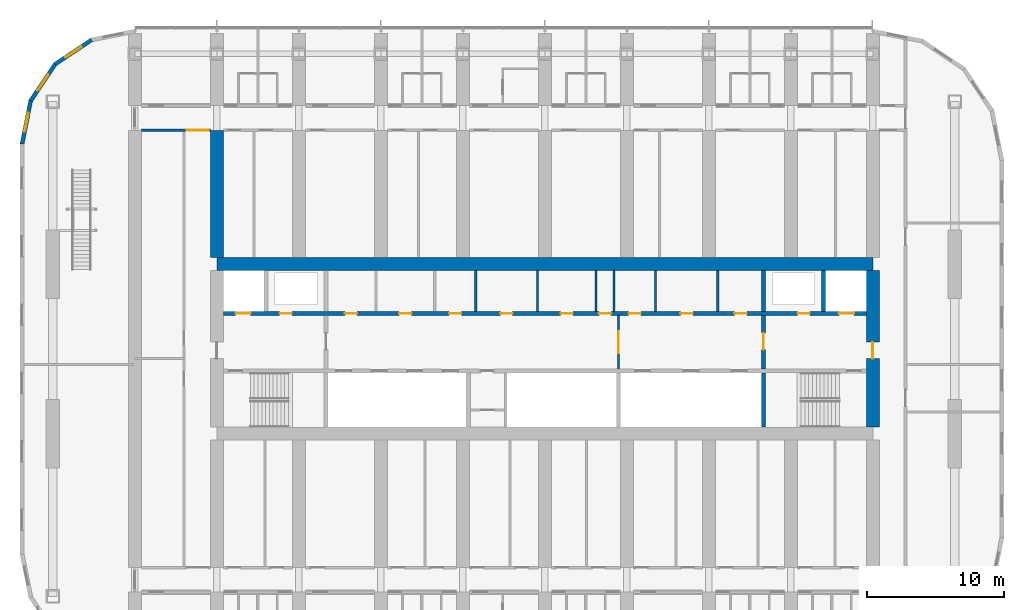
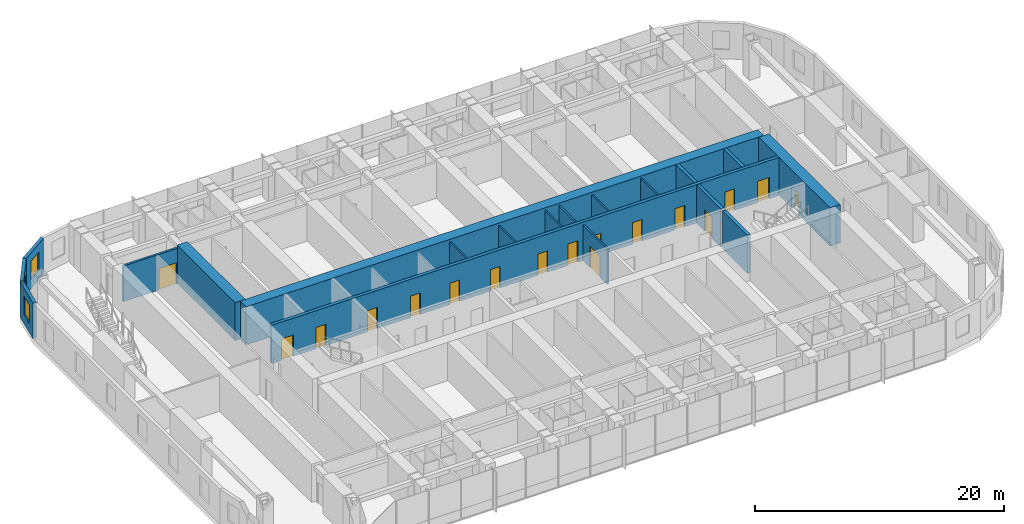
# One storey, part 14 of 25: 19 walls, 17 doors, 3 windows, 20 openings.
"""IFC4 building model written with IfcOpenShell, lengths in metres."""

from ifc_helpers import new_model, si_unit, direction, frame, frame_2d, origin, place, context, subcontext, project, spatial, polyline, rectangle, outline, extrude, material, layer, layer_set, type_object, element, fill, save


model = new_model("IFC4")

# Units and contexts
model_context = context("Model", 3, precision=1e-05, world=origin(), true_north=direction((0.0, 1.0)))
body_context = subcontext(model_context, "Body", "Model", "MODEL_VIEW")
ifc_project = project(units=[si_unit("LENGTHUNIT", "METRE"), si_unit("AREAUNIT", "SQUARE_METRE"), si_unit("VOLUMEUNIT", "CUBIC_METRE"), si_unit("PLANEANGLEUNIT", "RADIAN"), si_unit("MASSUNIT", "GRAM", prefix="KILO")], contexts=[model_context])

# Site, building, storey
site_placement = place(None, origin())
site = spatial("IfcSite", under=ifc_project, at=site_placement, CompositionType="ELEMENT")
building_placement = place(site_placement, origin())
building = spatial("IfcBuilding", under=site, at=building_placement, Name="Orbita Commons", CompositionType="ELEMENT")
storey_placement = place(building_placement, frame((0.0, 0.0, 99.39990234375)))
storey = spatial("IfcBuildingStorey", under=building, at=storey_placement, Name="L24", CompositionType="ELEMENT", Elevation=99.39990234375)

# Wall, openings, doors
ifc_material_1 = material(Name="Concrete C50/60", Category="concrete")
ifc_layer_1 = layer(ifc_material_1, 0.300048828125)
ifc_layer_set_1 = layer_set([ifc_layer_1], Name="Concrete C50/60")
wall_type_1 = type_object("IfcWallType", Name="Core inner wall 300 C50/60", PredefinedType="SHEAR", material=ifc_layer_set_1)
wall_1_placement = place(storey_placement, frame((18.47509765625, 34.60009765625, 0.0), z_axis=(0.0, 0.0, 1.0), x_axis=(1.0, 0.0, 0.0)))
wall_1 = element("IfcWall", 1, at=wall_1_placement, inside=storey, type_object=wall_type_1, Name="Lobby wall north L24", PredefinedType="SHEAR", context=body_context, shape_type="SweptSolid", body=[
    extrude(rectangle(XDim=47.0498046875, YDim=0.300048828125, at=frame_2d((23.52490234375, 0.0))), origin(), (0.0, 0.0, 1.0), 3.75),
])
opening_1_placement = place(wall_1_placement, frame((0.89990234375, 0.0, 0.0)))
opening_1 = element("IfcOpeningElement", 2, at=opening_1_placement, cuts=wall_1, Name="Opening LD01", PredefinedType="OPENING", context=body_context, shape_type="SweptSolid", body=[
    extrude(rectangle(XDim=1.10009765625, YDim=2.10009765625, at=frame_2d((0.550048828125, 1.050048828125))), frame((0.0, 0.159912109375, 0.0), z_axis=(0.0, -1.0, 0.0), x_axis=(1.0, 0.0, 0.0)), (0.0, 0.0, 1.0), 0.320068359375),
])
opening_2_placement = place(wall_1_placement, frame((45.050048828125, 0.0, 0.0)))
opening_2 = element("IfcOpeningElement", 3, at=opening_2_placement, cuts=wall_1, Name="Opening LD01", PredefinedType="OPENING", context=body_context, shape_type="SweptSolid", body=[
    extrude(rectangle(XDim=1.10009765625, YDim=2.10009765625, at=frame_2d((0.550048828125, 1.050048828125))), frame((0.0, 0.159912109375, 0.0), z_axis=(0.0, -1.0, 0.0), x_axis=(1.0, 0.0, 0.0)), (0.0, 0.0, 1.0), 0.320068359375),
])
opening_3_placement = place(wall_1_placement, frame((4.125, 0.0, 0.0)))
opening_3 = element("IfcOpeningElement", 4, at=opening_3_placement, cuts=wall_1, Name="Opening D03", PredefinedType="OPENING", context=body_context, shape_type="SweptSolid", body=[
    extrude(rectangle(XDim=0.89990234375, YDim=2.10009765625, at=frame_2d((0.449951171875, 1.050048828125))), frame((0.0, 0.159912109375, 0.0), z_axis=(0.0, -1.0, 0.0), x_axis=(1.0, 0.0, 0.0)), (0.0, 0.0, 1.0), 0.320068359375),
])
opening_4_placement = place(wall_1_placement, frame((42.02490234375, 0.0, 0.0)))
opening_4 = element("IfcOpeningElement", 5, at=opening_4_placement, cuts=wall_1, Name="Opening D03", PredefinedType="OPENING", context=body_context, shape_type="SweptSolid", body=[
    extrude(rectangle(XDim=0.89990234375, YDim=2.10009765625, at=frame_2d((0.449951171875, 1.050048828125))), frame((0.0, 0.159912109375, 0.0), z_axis=(0.0, -1.0, 0.0), x_axis=(1.0, 0.0, 0.0)), (0.0, 0.0, 1.0), 0.320068359375),
])
opening_5_placement = place(wall_1_placement, frame((8.900390625, 0.0, 0.0)))
opening_5 = element("IfcOpeningElement", 6, at=opening_5_placement, cuts=wall_1, Name="Opening D03", PredefinedType="OPENING", context=body_context, shape_type="SweptSolid", body=[
    extrude(rectangle(XDim=0.89990234375, YDim=2.10009765625, at=frame_2d((0.449951171875, 1.050048828125))), frame((0.0, 0.159912109375, 0.0), z_axis=(0.0, -1.0, 0.0), x_axis=(1.0, 0.0, 0.0)), (0.0, 0.0, 1.0), 0.320068359375),
])
opening_6_placement = place(wall_1_placement, frame((12.873779296875, 0.0, 0.0)))
opening_6 = element("IfcOpeningElement", 7, at=opening_6_placement, cuts=wall_1, Name="Opening D03", PredefinedType="OPENING", context=body_context, shape_type="SweptSolid", body=[
    extrude(rectangle(XDim=0.89990234375, YDim=2.10009765625, at=frame_2d((0.449951171875, 1.050048828125))), frame((0.0, 0.159912109375, 0.0), z_axis=(0.0, -1.0, 0.0), x_axis=(1.0, 0.0, 0.0)), (0.0, 0.0, 1.0), 0.320068359375),
])
opening_7_placement = place(wall_1_placement, frame((16.521240234375, 0.0, 0.0)))
opening_7 = element("IfcOpeningElement", 8, at=opening_7_placement, cuts=wall_1, Name="Opening D03", PredefinedType="OPENING", context=body_context, shape_type="SweptSolid", body=[
    extrude(rectangle(XDim=0.89990234375, YDim=2.10009765625, at=frame_2d((0.449951171875, 1.050048828125))), frame((0.0, 0.159912109375, 0.0), z_axis=(0.0, -1.0, 0.0), x_axis=(1.0, 0.0, 0.0)), (0.0, 0.0, 1.0), 0.320068359375),
])
opening_8_placement = place(wall_1_placement, frame((20.27978515625, 0.0, 0.0)))
opening_8 = element("IfcOpeningElement", 9, at=opening_8_placement, cuts=wall_1, Name="Opening D05", PredefinedType="OPENING", context=body_context, shape_type="SweptSolid", body=[
    extrude(rectangle(XDim=0.89990234375, YDim=2.10009765625, at=frame_2d((0.449951171875, 1.050048828125))), frame((0.0, 0.159912109375, 0.0), z_axis=(0.0, -1.0, 0.0), x_axis=(1.0, 0.0, 0.0)), (0.0, 0.0, 1.0), 0.320068359375),
])
opening_9_placement = place(wall_1_placement, frame((24.685791015625, 0.0, 0.0)))
opening_9 = element("IfcOpeningElement", 10, at=opening_9_placement, cuts=wall_1, Name="Opening D03", PredefinedType="OPENING", context=body_context, shape_type="SweptSolid", body=[
    extrude(rectangle(XDim=0.89990234375, YDim=2.10009765625, at=frame_2d((0.449951171875, 1.050048828125))), frame((0.0, 0.159912109375, 0.0), z_axis=(0.0, -1.0, 0.0), x_axis=(1.0, 0.0, 0.0)), (0.0, 0.0, 1.0), 0.320068359375),
])
opening_10_placement = place(wall_1_placement, frame((27.4833984375, 0.0, 0.0)))
opening_10 = element("IfcOpeningElement", 11, at=opening_10_placement, cuts=wall_1, Name="Opening D03", PredefinedType="OPENING", context=body_context, shape_type="SweptSolid", body=[
    extrude(rectangle(XDim=0.89990234375, YDim=2.10009765625, at=frame_2d((0.449951171875, 1.050048828125))), frame((0.0, 0.159912109375, 0.0), z_axis=(0.0, -1.0, 0.0), x_axis=(1.0, 0.0, 0.0)), (0.0, 0.0, 1.0), 0.320068359375),
])
opening_11_placement = place(wall_1_placement, frame((29.653076171875, 0.0, 0.0)))
opening_11 = element("IfcOpeningElement", 12, at=opening_11_placement, cuts=wall_1, Name="Opening D05", PredefinedType="OPENING", context=body_context, shape_type="SweptSolid", body=[
    extrude(rectangle(XDim=0.89990234375, YDim=2.10009765625, at=frame_2d((0.449951171875, 1.050048828125))), frame((0.0, 0.159912109375, 0.0), z_axis=(0.0, -1.0, 0.0), x_axis=(1.0, 0.0, 0.0)), (0.0, 0.0, 1.0), 0.320068359375),
])
opening_12_placement = place(wall_1_placement, frame((33.4521484375, 0.0, 0.0)))
opening_12 = element("IfcOpeningElement", 13, at=opening_12_placement, cuts=wall_1, Name="Opening D05", PredefinedType="OPENING", context=body_context, shape_type="SweptSolid", body=[
    extrude(rectangle(XDim=0.89990234375, YDim=2.10009765625, at=frame_2d((0.449951171875, 1.050048828125))), frame((0.0, 0.159912109375, 0.0), z_axis=(0.0, -1.0, 0.0), x_axis=(1.0, 0.0, 0.0)), (0.0, 0.0, 1.0), 0.320068359375),
])
opening_13_placement = place(wall_1_placement, frame((37.4033203125, 0.0, 0.0)))
opening_13 = element("IfcOpeningElement", 14, at=opening_13_placement, cuts=wall_1, Name="Opening D03", PredefinedType="OPENING", context=body_context, shape_type="SweptSolid", body=[
    extrude(rectangle(XDim=0.89990234375, YDim=2.10009765625, at=frame_2d((0.449951171875, 1.050048828125))), frame((0.0, 0.159912109375, 0.0), z_axis=(0.0, -1.0, 0.0), x_axis=(1.0, 0.0, 0.0)), (0.0, 0.0, 1.0), 0.320068359375),
])
ifc_material_2 = material(Name="Steel-faced fire door leaf", Category="steel")
door_type_1 = type_object("IfcDoorType", Name="Firefighting lift landing door 1100x2100", OperationType="DOUBLE_DOOR_SLIDING", PredefinedType="DOOR", material=ifc_material_2)
door_1_placement = place(opening_1_placement, origin())
door_1 = element("IfcDoor", 15, at=door_1_placement, inside=storey, type_object=door_type_1, Name="Firefighting lift FL1 landing door", OperationType="DOUBLE_DOOR_SLIDING", OverallHeight=2.10009765625, OverallWidth=1.10009765625, PredefinedType="DOOR", context=body_context, shape_type="SweptSolid", body=[
    extrude(rectangle(XDim=1.10009765625, YDim=2.10009765625, at=frame_2d((0.550048828125, 1.050048828125))), frame((0.0, 0.02490234375, 0.0), z_axis=(0.0, -1.0, 0.0), x_axis=(1.0, 0.0, 0.0)), (0.0, 0.0, 1.0), 0.050048828125),
])
fill(opening_1, door_1)
door_2_placement = place(opening_2_placement, origin())
door_2 = element("IfcDoor", 16, at=door_2_placement, inside=storey, type_object=door_type_1, Name="Firefighting lift FL2 landing door", OperationType="DOUBLE_DOOR_SLIDING", OverallHeight=2.10009765625, OverallWidth=1.10009765625, PredefinedType="DOOR", context=body_context, shape_type="SweptSolid", body=[
    extrude(rectangle(XDim=1.10009765625, YDim=2.10009765625, at=frame_2d((0.550048828125, 1.050048828125))), frame((0.0, 0.02490234375, 0.0), z_axis=(0.0, -1.0, 0.0), x_axis=(1.0, 0.0, 0.0)), (0.0, 0.0, 1.0), 0.050048828125),
])
fill(opening_2, door_2)
ifc_material_3 = material(Name="Steel-faced fire door leaf", Category="steel")
door_type_2 = type_object("IfcDoorType", Name="Service door 20 min 900x2100", OperationType="SINGLE_SWING_LEFT", PredefinedType="DOOR", material=ifc_material_3)
door_3_placement = place(opening_8_placement, origin())
door_3 = element("IfcDoor", 17, at=door_3_placement, inside=storey, type_object=door_type_2, Name="Accessible WC door", OperationType="SINGLE_SWING_LEFT", OverallHeight=2.10009765625, OverallWidth=0.89990234375, PredefinedType="DOOR", context=body_context, shape_type="SweptSolid", body=[
    extrude(rectangle(XDim=0.89990234375, YDim=2.10009765625, at=frame_2d((0.449951171875, 1.050048828125))), frame((0.0, 0.02490234375, 0.0), z_axis=(0.0, -1.0, 0.0), x_axis=(1.0, 0.0, 0.0)), (0.0, 0.0, 1.0), 0.050048828125),
])
fill(opening_8, door_3)
door_4_placement = place(opening_11_placement, origin())
door_4 = element("IfcDoor", 18, at=door_4_placement, inside=storey, type_object=door_type_2, Name="Staff WC door", OperationType="SINGLE_SWING_LEFT", OverallHeight=2.10009765625, OverallWidth=0.89990234375, PredefinedType="DOOR", context=body_context, shape_type="SweptSolid", body=[
    extrude(rectangle(XDim=0.89990234375, YDim=2.10009765625, at=frame_2d((0.449951171875, 1.050048828125))), frame((0.0, 0.02490234375, 0.0), z_axis=(0.0, -1.0, 0.0), x_axis=(1.0, 0.0, 0.0)), (0.0, 0.0, 1.0), 0.050048828125),
])
fill(opening_11, door_4)
door_5_placement = place(opening_12_placement, origin())
door_5 = element("IfcDoor", 19, at=door_5_placement, inside=storey, type_object=door_type_2, Name="Vending and ice room door", OperationType="SINGLE_SWING_LEFT", OverallHeight=2.10009765625, OverallWidth=0.89990234375, PredefinedType="DOOR", context=body_context, shape_type="SweptSolid", body=[
    extrude(rectangle(XDim=0.89990234375, YDim=2.10009765625, at=frame_2d((0.449951171875, 1.050048828125))), frame((0.0, 0.02490234375, 0.0), z_axis=(0.0, -1.0, 0.0), x_axis=(1.0, 0.0, 0.0)), (0.0, 0.0, 1.0), 0.050048828125),
])
fill(opening_12, door_5)
ifc_material_4 = material(Name="Steel-faced fire door leaf", Category="steel")
door_type_3 = type_object("IfcDoorType", Name="Shaft access door 90 min 900x2100", OperationType="SINGLE_SWING_LEFT", PredefinedType="DOOR", material=ifc_material_4)
door_6_placement = place(opening_3_placement, origin())
door_6 = element("IfcDoor", 20, at=door_6_placement, inside=storey, type_object=door_type_3, Name="Riser door west", OperationType="SINGLE_SWING_LEFT", OverallHeight=2.10009765625, OverallWidth=0.89990234375, PredefinedType="DOOR", context=body_context, shape_type="SweptSolid", body=[
    extrude(rectangle(XDim=0.89990234375, YDim=2.10009765625, at=frame_2d((0.449951171875, 1.050048828125))), frame((0.0, 0.02490234375, 0.0), z_axis=(0.0, -1.0, 0.0), x_axis=(1.0, 0.0, 0.0)), (0.0, 0.0, 1.0), 0.050048828125),
])
fill(opening_3, door_6)
door_7_placement = place(opening_4_placement, origin())
door_7 = element("IfcDoor", 21, at=door_7_placement, inside=storey, type_object=door_type_3, Name="Riser door east", OperationType="SINGLE_SWING_LEFT", OverallHeight=2.10009765625, OverallWidth=0.89990234375, PredefinedType="DOOR", context=body_context, shape_type="SweptSolid", body=[
    extrude(rectangle(XDim=0.89990234375, YDim=2.10009765625, at=frame_2d((0.449951171875, 1.050048828125))), frame((0.0, 0.02490234375, 0.0), z_axis=(0.0, -1.0, 0.0), x_axis=(1.0, 0.0, 0.0)), (0.0, 0.0, 1.0), 0.050048828125),
])
fill(opening_4, door_7)
door_8_placement = place(opening_5_placement, origin())
door_8 = element("IfcDoor", 22, at=door_8_placement, inside=storey, type_object=door_type_3, Name="Cleaners store door", OperationType="SINGLE_SWING_LEFT", OverallHeight=2.10009765625, OverallWidth=0.89990234375, PredefinedType="DOOR", context=body_context, shape_type="SweptSolid", body=[
    extrude(rectangle(XDim=0.89990234375, YDim=2.10009765625, at=frame_2d((0.449951171875, 1.050048828125))), frame((0.0, 0.02490234375, 0.0), z_axis=(0.0, -1.0, 0.0), x_axis=(1.0, 0.0, 0.0)), (0.0, 0.0, 1.0), 0.050048828125),
])
fill(opening_5, door_8)
door_9_placement = place(opening_6_placement, origin())
door_9 = element("IfcDoor", 23, at=door_9_placement, inside=storey, type_object=door_type_3, Name="Refuse chute room door", OperationType="SINGLE_SWING_LEFT", OverallHeight=2.10009765625, OverallWidth=0.89990234375, PredefinedType="DOOR", context=body_context, shape_type="SweptSolid", body=[
    extrude(rectangle(XDim=0.89990234375, YDim=2.10009765625, at=frame_2d((0.449951171875, 1.050048828125))), frame((0.0, 0.02490234375, 0.0), z_axis=(0.0, -1.0, 0.0), x_axis=(1.0, 0.0, 0.0)), (0.0, 0.0, 1.0), 0.050048828125),
])
fill(opening_6, door_9)
door_10_placement = place(opening_7_placement, origin())
door_10 = element("IfcDoor", 24, at=door_10_placement, inside=storey, type_object=door_type_3, Name="Electrical riser room door", OperationType="SINGLE_SWING_LEFT", OverallHeight=2.10009765625, OverallWidth=0.89990234375, PredefinedType="DOOR", context=body_context, shape_type="SweptSolid", body=[
    extrude(rectangle(XDim=0.89990234375, YDim=2.10009765625, at=frame_2d((0.449951171875, 1.050048828125))), frame((0.0, 0.02490234375, 0.0), z_axis=(0.0, -1.0, 0.0), x_axis=(1.0, 0.0, 0.0)), (0.0, 0.0, 1.0), 0.050048828125),
])
fill(opening_7, door_10)
door_11_placement = place(opening_9_placement, origin())
door_11 = element("IfcDoor", 25, at=door_11_placement, inside=storey, type_object=door_type_3, Name="Communications room door", OperationType="SINGLE_SWING_LEFT", OverallHeight=2.10009765625, OverallWidth=0.89990234375, PredefinedType="DOOR", context=body_context, shape_type="SweptSolid", body=[
    extrude(rectangle(XDim=0.89990234375, YDim=2.10009765625, at=frame_2d((0.449951171875, 1.050048828125))), frame((0.0, 0.02490234375, 0.0), z_axis=(0.0, -1.0, 0.0), x_axis=(1.0, 0.0, 0.0)), (0.0, 0.0, 1.0), 0.050048828125),
])
fill(opening_9, door_11)
door_12_placement = place(opening_10_placement, origin())
door_12 = element("IfcDoor", 26, at=door_12_placement, inside=storey, type_object=door_type_3, Name="Stair pressurisation duct door", OperationType="SINGLE_SWING_LEFT", OverallHeight=2.10009765625, OverallWidth=0.89990234375, PredefinedType="DOOR", context=body_context, shape_type="SweptSolid", body=[
    extrude(rectangle(XDim=0.89990234375, YDim=2.10009765625, at=frame_2d((0.449951171875, 1.050048828125))), frame((0.0, 0.02490234375, 0.0), z_axis=(0.0, -1.0, 0.0), x_axis=(1.0, 0.0, 0.0)), (0.0, 0.0, 1.0), 0.050048828125),
])
fill(opening_10, door_12)
door_13_placement = place(opening_13_placement, origin())
door_13 = element("IfcDoor", 27, at=door_13_placement, inside=storey, type_object=door_type_3, Name="Housekeeping store door", OperationType="SINGLE_SWING_LEFT", OverallHeight=2.10009765625, OverallWidth=0.89990234375, PredefinedType="DOOR", context=body_context, shape_type="SweptSolid", body=[
    extrude(rectangle(XDim=0.89990234375, YDim=2.10009765625, at=frame_2d((0.449951171875, 1.050048828125))), frame((0.0, 0.02490234375, 0.0), z_axis=(0.0, -1.0, 0.0), x_axis=(1.0, 0.0, 0.0)), (0.0, 0.0, 1.0), 0.050048828125),
])
fill(opening_13, door_13)

# Wall
wall_2_placement = place(storey_placement, frame((58.0, 26.27490234375, 0.0), z_axis=(0.0, 0.0, 1.0), x_axis=(0.0, 1.0, 0.0)))
element("IfcWall", 28, at=wall_2_placement, inside=storey, type_object=wall_type_1, Name="Stair S2 wall L24", PredefinedType="SHEAR", context=body_context, shape_type="SweptSolid", body=[
    extrude(rectangle(XDim=3.97509765625, YDim=0.300048828125, at=frame_2d((1.987548828125, 0.0))), origin(), (0.0, 0.0, 1.0), 3.75),
])

# Wall, opening, door
wall_3_placement = place(storey_placement, frame((58.0, 30.550048828125, 0.0), z_axis=(0.0, 0.0, 1.0), x_axis=(0.0, 1.0, 0.0)))
wall_3 = element("IfcWall", 29, at=wall_3_placement, inside=storey, type_object=wall_type_1, Name="Firefighting lobby wall east L24", PredefinedType="SHEAR", context=body_context, shape_type="SweptSolid", body=[
    extrude(rectangle(XDim=3.89990234375, YDim=0.300048828125, at=frame_2d((1.949951171875, 0.0))), origin(), (0.0, 0.0, 1.0), 3.75),
])
opening_14_placement = place(wall_3_placement, frame((1.39990234375, 0.0, 0.0)))
opening_14 = element("IfcOpeningElement", 30, at=opening_14_placement, cuts=wall_3, Name="Opening D04", PredefinedType="OPENING", context=body_context, shape_type="SweptSolid", body=[
    extrude(rectangle(XDim=1.199951171875, YDim=2.10009765625, at=frame_2d((0.60009765625, 1.050048828125))), frame((0.0, 0.159912109375, 0.0), z_axis=(0.0, -1.0, 0.0), x_axis=(1.0, 0.0, 0.0)), (0.0, 0.0, 1.0), 0.320068359375),
])
ifc_material_5 = material(Name="Steel-faced fire door leaf", Category="steel")
door_type_4 = type_object("IfcDoorType", Name="Service door 20 min 1200x2100", OperationType="SINGLE_SWING_LEFT", PredefinedType="DOOR", material=ifc_material_5)
door_14_placement = place(opening_14_placement, origin())
door_14 = element("IfcDoor", 31, at=door_14_placement, inside=storey, type_object=door_type_4, Name="Lift lobby door east", OperationType="SINGLE_SWING_LEFT", OverallHeight=2.10009765625, OverallWidth=1.199951171875, PredefinedType="DOOR", context=body_context, shape_type="SweptSolid", body=[
    extrude(rectangle(XDim=1.199951171875, YDim=2.10009765625, at=frame_2d((0.60009765625, 1.050048828125))), frame((0.0, 0.02490234375, 0.0), z_axis=(0.0, -1.0, 0.0), x_axis=(1.0, 0.0, 0.0)), (0.0, 0.0, 1.0), 0.050048828125),
])
fill(opening_14, door_14)

# Walls
for number, where, z_axis, x_axis, name in (
    (32, (62.39990234375, 34.75, 0.0), (0.0, 0.0, 1.0), (0.0, 1.0, 0.0), "Firefighting lift FL2 shaft wall L24"),
    (33, (58.0, 34.75, 0.0), (0.0, 0.0, 1.0), (0.0, 1.0, 0.0), "Riser wall east L24"),
):
    element("IfcWall", number, at=place(storey_placement, frame(where, z_axis=z_axis, x_axis=x_axis)), inside=storey, type_object=wall_type_1, Name=name, PredefinedType="SHEAR", context=body_context, shape_type="SweptSolid", body=[
        extrude(rectangle(XDim=2.97509765625, YDim=0.300048828125, at=frame_2d((1.487548828125, 0.0))), origin(), (0.0, 0.0, 1.0), 3.75),
    ])

# Wall, opening, door
ifc_material_6 = material(Name="Concrete blockwork", Category="masonry")
ifc_layer_2 = layer(ifc_material_6, 0.14990234375)
ifc_layer_set_2 = layer_set([ifc_layer_2], Name="Concrete blockwork")
wall_type_2 = type_object("IfcWallType", Name="Core partition 150 blockwork", PredefinedType="SOLIDWALL", material=ifc_layer_set_2)
wall_4_placement = place(storey_placement, frame((47.39990234375, 30.550048828125, 0.0), z_axis=(0.0, 0.0, 1.0), x_axis=(0.0, 1.0, 0.0)))
wall_4 = element("IfcWall", 34, at=wall_4_placement, inside=storey, type_object=wall_type_2, Name="Core partition 150 blockwork L24", PredefinedType="SOLIDWALL", context=body_context, shape_type="SweptSolid", body=[
    extrude(rectangle(XDim=3.89990234375, YDim=0.14990234375, at=frame_2d((1.949951171875, 0.0))), origin(), (0.0, 0.0, 1.0), 3.5),
])
opening_15_placement = place(wall_4_placement, frame((1.14990234375, 0.0, 0.0)))
opening_15 = element("IfcOpeningElement", 35, at=opening_15_placement, cuts=wall_4, Name="Opening D10", PredefinedType="OPENING", context=body_context, shape_type="SweptSolid", body=[
    extrude(rectangle(XDim=1.60009765625, YDim=2.10009765625, at=frame_2d((0.800048828125, 1.050048828125))), frame((0.0, 0.0849609375, 0.0), z_axis=(0.0, -1.0, 0.0), x_axis=(1.0, 0.0, 0.0)), (0.0, 0.0, 1.0), 0.169921875),
])
ifc_material_7 = material(Name="Steel-faced fire door leaf", Category="steel")
door_type_5 = type_object("IfcDoorType", Name="Double corridor door 20 min 1600x2100", OperationType="DOUBLE_DOOR_SINGLE_SWING", PredefinedType="DOOR", material=ifc_material_7)
door_15_placement = place(opening_15_placement, origin())
door_15 = element("IfcDoor", 36, at=door_15_placement, inside=storey, type_object=door_type_5, Name="Lift lobby screen doors", OperationType="DOUBLE_DOOR_SINGLE_SWING", OverallHeight=2.10009765625, OverallWidth=1.60009765625, PredefinedType="DOOR", context=body_context, shape_type="SweptSolid", body=[
    extrude(rectangle(XDim=1.60009765625, YDim=2.10009765625, at=frame_2d((0.800048828125, 1.050048828125))), frame((0.0, 0.02490234375, 0.0), z_axis=(0.0, -1.0, 0.0), x_axis=(1.0, 0.0, 0.0)), (0.0, 0.0, 1.0), 0.050048828125),
])
fill(opening_15, door_15)

# Walls
for number, where, z_axis, x_axis, name in (
    (37, (36.9462890625, 34.75, 0.0), (0.0, 0.0, 1.0), (0.0, 1.0, 0.0), "Core partition 150 blockwork L24"),
    (38, (41.463134765625, 34.75, 0.0), (0.0, 0.0, 1.0), (0.0, 1.0, 0.0), "Core partition 150 blockwork L24"),
    (39, (45.75830078125, 34.75, 0.0), (0.0, 0.0, 1.0), (0.0, 1.0, 0.0), "Core partition 150 blockwork L24"),
    (40, (47.058349609375, 34.75, 0.0), (0.0, 0.0, 1.0), (0.0, 1.0, 0.0), "Core partition 150 blockwork L24"),
    (41, (50.09765625, 34.75, 0.0), (0.0, 0.0, 1.0), (0.0, 1.0, 0.0), "Core partition 150 blockwork L24"),
    (42, (54.65673828125, 34.75, 0.0), (0.0, 0.0, 1.0), (0.0, 1.0, 0.0), "Core partition 150 blockwork L24"),
):
    element("IfcWall", number, at=place(storey_placement, frame(where, z_axis=z_axis, x_axis=x_axis)), inside=storey, type_object=wall_type_2, Name=name, PredefinedType="SOLIDWALL", context=body_context, shape_type="SweptSolid", body=[
        extrude(rectangle(XDim=2.97509765625, YDim=0.14990234375, at=frame_2d((1.487548828125, 0.0))), origin(), (0.0, 0.0, 1.0), 3.5),
    ])
ifc_material_8 = material(Name="Concrete C50/60", Category="concrete")
ifc_layer_3 = layer(ifc_material_8, 0.949951171875)
ifc_layer_set_3 = layer_set([ifc_layer_3], Name="Concrete C50/60")
wall_type_3 = type_object("IfcWallType", Name="Core wall 950 C50/60", PredefinedType="SHEAR", material=ifc_layer_set_3)
wall_5_placement = place(storey_placement, frame((18.0, 38.199951171875, 0.0), z_axis=(0.0, 0.0, 1.0), x_axis=(1.0, 0.0, 0.0)))
element("IfcWall", 43, at=wall_5_placement, inside=storey, type_object=wall_type_3, Name="Core spine wall north L24", PredefinedType="SHEAR", context=body_context, shape_type="SweptSolid", body=[
    extrude(rectangle(XDim=48.0, YDim=0.949951171875, at=frame_2d((24.0, 0.0))), origin(), (0.0, 0.0, 1.0), 3.75),
])

# Wall, opening, door
wall_6_placement = place(storey_placement, frame((66.0, 26.27490234375, 0.0), z_axis=(0.0, 0.0, 1.0), x_axis=(0.0, 1.0, 0.0)))
wall_6 = element("IfcWall", 44, at=wall_6_placement, inside=storey, type_object=wall_type_3, Name="Core end wall east L24", PredefinedType="SHEAR", context=body_context, shape_type="SweptSolid", body=[
    extrude(rectangle(XDim=11.4501953125, YDim=0.949951171875, at=frame_2d((5.72509765625, 0.0))), origin(), (0.0, 0.0, 1.0), 3.75),
])
opening_16_placement = place(wall_6_placement, frame((5.02490234375, 0.0, 0.0)))
opening_16 = element("IfcOpeningElement", 45, at=opening_16_placement, cuts=wall_6, Name="Opening D01", PredefinedType="OPENING", context=body_context, shape_type="SweptSolid", body=[
    extrude(rectangle(XDim=1.199951171875, YDim=2.10009765625, at=frame_2d((0.60009765625, 1.050048828125))), frame((0.0, 0.48486328125, 0.0), z_axis=(0.0, -1.0, 0.0), x_axis=(1.0, 0.0, 0.0)), (0.0, 0.0, 1.0), 0.969970703125),
])
ifc_material_9 = material(Name="Steel-faced fire door leaf", Category="steel")
door_type_6 = type_object("IfcDoorType", Name="Fire door 90 min 1200x2100", OperationType="SINGLE_SWING_LEFT", PredefinedType="DOOR", material=ifc_material_9)
door_16_placement = place(opening_16_placement, origin())
door_16 = element("IfcDoor", 46, at=door_16_placement, inside=storey, type_object=door_type_6, Name="Firefighting lobby east door", OperationType="SINGLE_SWING_LEFT", OverallHeight=2.10009765625, OverallWidth=1.199951171875, PredefinedType="DOOR", context=body_context, shape_type="SweptSolid", body=[
    extrude(rectangle(XDim=1.199951171875, YDim=2.10009765625, at=frame_2d((0.60009765625, 1.050048828125))), frame((0.0, 0.02490234375, 0.0), z_axis=(0.0, -1.0, 0.0), x_axis=(1.0, 0.0, 0.0)), (0.0, 0.0, 1.0), 0.050048828125),
])
fill(opening_16, door_16)

ifc_material_10 = material(Name="Hollow concrete block 200", Category="concrete")
ifc_layer_4 = layer(ifc_material_10, 0.199951171875)
ifc_layer_set_4 = layer_set([ifc_layer_4], Name="Hollow concrete block 200")
wall_type_4 = type_object("IfcWallType", Name="Corridor wall 200 hollow concrete block", PredefinedType="SOLIDWALL", material=ifc_layer_set_4)
wall_7_placement = place(storey_placement, frame((12.47509765625, 48.0, 0.0), z_axis=(0.0, 0.0, 1.0), x_axis=(1.0, 0.0, 0.0)))
wall_7 = element("IfcWall", 47, at=wall_7_placement, inside=storey, type_object=wall_type_4, Name="Corridor wall 200 hollow concrete block L24", PredefinedType="SOLIDWALL", context=body_context, shape_type="SweptSolid", body=[
    extrude(rectangle(XDim=5.0498046875, YDim=0.199951171875, at=frame_2d((2.52490234375, 0.0))), origin(), (0.0, 0.0, 1.0), 3.5),
])
opening_17_placement = place(wall_7_placement, frame((3.324951171875, 0.0, 0.0)))
opening_17 = element("IfcOpeningElement", 48, at=opening_17_placement, cuts=wall_7, Name="Opening D10", PredefinedType="OPENING", context=body_context, shape_type="SweptSolid", body=[
    extrude(rectangle(XDim=1.60009765625, YDim=2.10009765625, at=frame_2d((0.800048828125, 1.050048828125))), frame((0.0, 0.10986328125, 0.0), z_axis=(0.0, -1.0, 0.0), x_axis=(1.0, 0.0, 0.0)), (0.0, 0.0, 1.0), 0.219970703125),
])
door_17_placement = place(opening_17_placement, origin())
door_17 = element("IfcDoor", 49, at=door_17_placement, inside=storey, type_object=door_type_5, Name="Cross corridor doors", OperationType="DOUBLE_DOOR_SINGLE_SWING", OverallHeight=2.10009765625, OverallWidth=1.60009765625, PredefinedType="DOOR", context=body_context, shape_type="SweptSolid", body=[
    extrude(rectangle(XDim=1.60009765625, YDim=2.10009765625, at=frame_2d((0.800048828125, 1.050048828125))), frame((0.0, 0.02490234375, 0.0), z_axis=(0.0, -1.0, 0.0), x_axis=(1.0, 0.0, 0.0)), (0.0, 0.0, 1.0), 0.050048828125),
])
fill(opening_17, door_17)

# Wall
ifc_material_11 = material(Name="Concrete C50/60", Category="concrete")
ifc_layer_5 = layer(ifc_material_11, 0.949951171875)
ifc_layer_set_5 = layer_set([ifc_layer_5], Name="Concrete C50/60")
wall_type_5 = type_object("IfcWallType", Name="Cross wall 950 C50/60", PredefinedType="SHEAR", material=ifc_layer_set_5)
wall_8_placement = place(storey_placement, frame((18.0, 38.675048828125, 0.0), z_axis=(0.0, 0.0, 1.0), x_axis=(0.0, 1.0, 0.0)))
element("IfcWall", 50, at=wall_8_placement, inside=storey, type_object=wall_type_5, Name="Cross wall 4 north inner L24", PredefinedType="SHEAR", context=body_context, shape_type="SweptSolid", body=[
    extrude(rectangle(XDim=9.324951171875, YDim=0.949951171875, at=frame_2d((4.66259765625, 0.0))), origin(), (0.0, 0.0, 1.0), 3.75),
])

# Wall, opening, window
ifc_material_12 = material(Name="Precast concrete C40/50, white board-marked finish", Category="concrete")
ifc_layer_6 = layer(ifc_material_12, 0.300048828125)
ifc_layer_set_6 = layer_set([ifc_layer_6], Name="Precast concrete C40/50, white board-marked finish")
wall_type_6 = type_object("IfcWallType", Name="Precast concrete end shield 300", PredefinedType="SOLIDWALL", material=ifc_layer_set_6)
wall_9_placement = place(storey_placement, frame((8.843017578125, 54.6220703125, 0.0), z_axis=(0.0, 0.0, 1.0), x_axis=(-0.831443069936, -0.555609954424, 0.0)))
wall_9 = element("IfcWall", 51, at=wall_9_placement, inside=storey, type_object=wall_type_6, Name="End shield NW chord 2 L24", PredefinedType="SOLIDWALL", context=body_context, shape_type="SweptSolid", body=[
    extrude(outline(polyline([(-0.02978515625, -0.14990234375), (3.2490234375, -0.14990234375), (3.189453125, 0.14990234375), (0.02978515625, 0.14990234375), (-0.02978515625, -0.14990234375)])), origin(), (0.0, 0.0, 1.0), 3.5),
])
opening_18_placement = place(wall_9_placement, frame((0.909423828125, 0.0, 0.89990234375)))
opening_18 = element("IfcOpeningElement", 52, at=opening_18_placement, cuts=wall_9, Name="Opening W02", PredefinedType="OPENING", context=body_context, shape_type="SweptSolid", body=[
    extrude(rectangle(XDim=1.39990234375, YDim=1.800048828125, at=frame_2d((0.699951171875, 0.89990234375))), frame((0.0, 0.159912109375, 0.0), z_axis=(0.0, -1.0, 0.0), x_axis=(1.0, 0.0, 0.0)), (0.0, 0.0, 1.0), 0.320068359375),
])
ifc_material_13 = material(Name="Aluminium frame, clear double glazing", Category="aluminium")
window_type = type_object("IfcWindowType", Name="Deep-set window 1400x1800", PartitioningType="SINGLE_PANEL", PredefinedType="WINDOW", material=ifc_material_13)
window_1_placement = place(opening_18_placement, origin())
window_1 = element("IfcWindow", 53, at=window_1_placement, inside=storey, type_object=window_type, Name="Window L24-NW1", OverallHeight=1.800048828125, OverallWidth=1.39990234375, PartitioningType="SINGLE_PANEL", PredefinedType="WINDOW", context=body_context, shape_type="SweptSolid", body=[
    extrude(rectangle(XDim=1.39990234375, YDim=1.800048828125, at=frame_2d((0.699951171875, 0.89990234375))), frame((0.0, 0.030029296875, 0.0), z_axis=(0.0, -1.0, 0.0), x_axis=(1.0, 0.0, 0.0)), (0.0, 0.0, 1.0), 0.06005859375),
])
fill(opening_18, window_1)

wall_10_placement = place(storey_placement, frame((6.16650390625, 52.83349609375, 0.0), z_axis=(0.0, 0.0, 1.0), x_axis=(-0.555609954424, -0.831443069936, 0.0)))
wall_10 = element("IfcWall", 54, at=wall_10_placement, inside=storey, type_object=wall_type_6, Name="End shield NW chord 3 L24", PredefinedType="SOLIDWALL", context=body_context, shape_type="SweptSolid", body=[
    extrude(outline(polyline([(-0.02978515625, -0.14990234375), (3.2490234375, -0.14990234375), (3.189453125, 0.14990234375), (0.02978515625, 0.14990234375), (-0.02978515625, -0.14990234375)])), origin(), (0.0, 0.0, 1.0), 3.5),
])
opening_19_placement = place(wall_10_placement, frame((0.909423828125, 0.0, 0.89990234375)))
opening_19 = element("IfcOpeningElement", 55, at=opening_19_placement, cuts=wall_10, Name="Opening W02", PredefinedType="OPENING", context=body_context, shape_type="SweptSolid", body=[
    extrude(rectangle(XDim=1.39990234375, YDim=1.800048828125, at=frame_2d((0.699951171875, 0.89990234375))), frame((0.0, 0.159912109375, 0.0), z_axis=(0.0, -1.0, 0.0), x_axis=(1.0, 0.0, 0.0)), (0.0, 0.0, 1.0), 0.320068359375),
])
window_2_placement = place(opening_19_placement, origin())
window_2 = element("IfcWindow", 56, at=window_2_placement, inside=storey, type_object=window_type, Name="Window L24-NW2", OverallHeight=1.800048828125, OverallWidth=1.39990234375, PartitioningType="SINGLE_PANEL", PredefinedType="WINDOW", context=body_context, shape_type="SweptSolid", body=[
    extrude(rectangle(XDim=1.39990234375, YDim=1.800048828125, at=frame_2d((0.699951171875, 0.89990234375))), frame((0.0, 0.030029296875, 0.0), z_axis=(0.0, -1.0, 0.0), x_axis=(1.0, 0.0, 0.0)), (0.0, 0.0, 1.0), 0.06005859375),
])
fill(opening_19, window_2)

wall_11_placement = place(storey_placement, frame((4.3779296875, 50.156982421875, 0.0), z_axis=(0.0, 0.0, 1.0), x_axis=(-0.195080412259, -0.980787251524, 0.0)))
wall_11 = element("IfcWall", 57, at=wall_11_placement, inside=storey, type_object=wall_type_6, Name="End shield NW chord 4 L24", PredefinedType="SOLIDWALL", context=body_context, shape_type="SweptSolid", body=[
    extrude(outline(polyline([(-0.02978515625, -0.14990234375), (3.233642578125, -0.14990234375), (3.203857421875, 0.14990234375), (0.02978515625, 0.14990234375), (-0.02978515625, -0.14990234375)])), origin(), (0.0, 0.0, 1.0), 3.5),
])
opening_20_placement = place(wall_11_placement, frame((0.909423828125, 0.0, 0.89990234375)))
opening_20 = element("IfcOpeningElement", 58, at=opening_20_placement, cuts=wall_11, Name="Opening W02", PredefinedType="OPENING", context=body_context, shape_type="SweptSolid", body=[
    extrude(rectangle(XDim=1.39990234375, YDim=1.800048828125, at=frame_2d((0.699951171875, 0.89990234375))), frame((0.0, 0.159912109375, 0.0), z_axis=(0.0, -1.0, 0.0), x_axis=(1.0, 0.0, 0.0)), (0.0, 0.0, 1.0), 0.320068359375),
])
window_3_placement = place(opening_20_placement, origin())
window_3 = element("IfcWindow", 59, at=window_3_placement, inside=storey, type_object=window_type, Name="Window L24-NW3", OverallHeight=1.800048828125, OverallWidth=1.39990234375, PartitioningType="SINGLE_PANEL", PredefinedType="WINDOW", context=body_context, shape_type="SweptSolid", body=[
    extrude(rectangle(XDim=1.39990234375, YDim=1.800048828125, at=frame_2d((0.699951171875, 0.89990234375))), frame((0.0, 0.030029296875, 0.0), z_axis=(0.0, -1.0, 0.0), x_axis=(1.0, 0.0, 0.0)), (0.0, 0.0, 1.0), 0.06005859375),
])
fill(opening_20, window_3)

save(model, "model.ifc")
